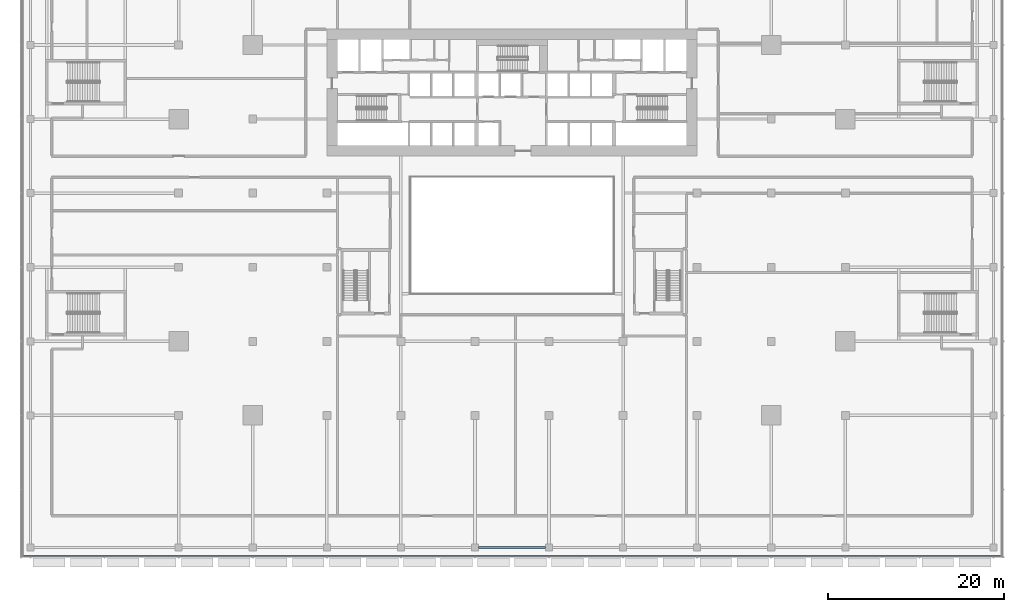
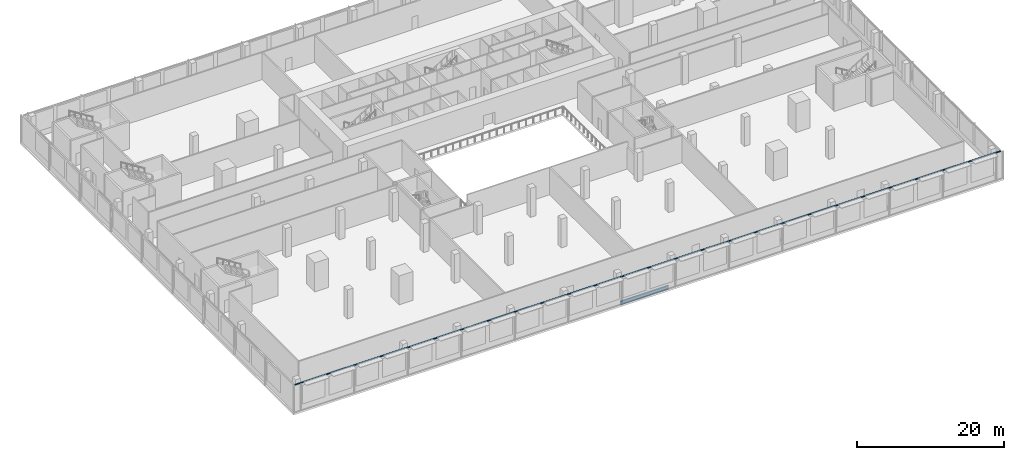
# One storey, part 5 of 39: 1 beam, 1 member, 1 element without a shape of its own.
"""IFC4 building model written with IfcOpenShell, lengths in metres."""

import ifcopenshell
import ifcopenshell.guid

model = None  # the IFC model being written
_history = None  # IfcOwnerHistory: only IFC2X3 demands one
_inside = {}  # id of a spatial element -> (the spatial element, [elements in it])
_under = {}  # id of a project, library or spatial element -> (it, [spatial elements below it])
_declared = {}  # id of a project -> (the project, [libraries it declares])
_typed = {}  # id of a type object -> (the type object, [elements of that type])
_made_of = {}  # id of a material, layer set ... -> (it, [elements and type objects made of it])


def new_model(schema):
    """Start an empty IFC model of exactly this schema.

    Asked for "IFC4X3", IfcOpenShell would pick the latest addendum, in which some entities
    have other attributes; the version numbers below select the first issue.
    IFC2X3 requires an IfcOwnerHistory on every rooted entity: one is made here for all.
    """
    global model, _history
    if schema == "IFC4X3":
        model = ifcopenshell.file(schema_version=(4, 3, 0, 0))
    else:
        model = ifcopenshell.file(schema=schema)
    _inside.clear()
    _under.clear()
    _declared.clear()
    _typed.clear()
    _made_of.clear()
    _history = None
    if model.schema == "IFC2X3":
        org = make("IfcOrganization", Name="unknown")
        user = make(
            "IfcPersonAndOrganization",
            ThePerson=make("IfcPerson", FamilyName="unknown"),
            TheOrganization=org,
        )
        app = make(
            "IfcApplication",
            ApplicationDeveloper=org,
            Version="unknown",
            ApplicationFullName="unknown",
            ApplicationIdentifier="unknown",
        )
        _history = make(
            "IfcOwnerHistory",
            OwningUser=user,
            OwningApplication=app,
            ChangeAction="ADDED",
            CreationDate=0,
        )
    return model


def make(cls, **values):
    """One entity of the class cls with the attributes given. An attribute that is None is left unset."""
    return model.create_entity(
        cls, **{name: value for name, value in values.items() if value is not None}
    )


def rooted(cls, **values):
    """An entity with a GlobalId (a new one), such as an element, a storey or a relation."""
    return make(cls, GlobalId=ifcopenshell.guid.new(), OwnerHistory=_history, **values)


def si_unit(unit_type, name, prefix=None):
    """IfcSIUnit, for example si_unit("LENGTHUNIT", "METRE", prefix="MILLI")."""
    return make("IfcSIUnit", UnitType=unit_type, Prefix=prefix, Name=name)


def assignment(units):
    """IfcUnitAssignment: the units of a project."""
    return None if units is None else make("IfcUnitAssignment", Units=units)


def point(xyz):
    """IfcCartesianPoint."""
    return None if xyz is None else make("IfcCartesianPoint", Coordinates=xyz)


def direction(xyz):
    """IfcDirection."""
    return None if xyz is None else make("IfcDirection", DirectionRatios=xyz)


def frame(location, z_axis=None, x_axis=None):
    """IfcAxis2Placement3D, a coordinate frame: its origin and axes. An axis left out is left unset."""
    return make(
        "IfcAxis2Placement3D",
        Location=point(location),
        Axis=direction(z_axis),
        RefDirection=direction(x_axis),
    )


def frame_2d(location, x_axis=None):
    """IfcAxis2Placement2D, a coordinate frame in the plane: its origin and x axis."""
    return make(
        "IfcAxis2Placement2D", Location=point(location), RefDirection=direction(x_axis)
    )


def origin():
    """The frame at (0, 0, 0) with its axes left unset."""
    return frame((0.0, 0.0, 0.0))


def origin_2d():
    """The frame at (0, 0) in the plane with its x axis left unset."""
    return frame_2d((0.0, 0.0))


def place(relative_to, where):
    """IfcLocalPlacement: puts the frame where relative to a parent placement (None: the world)."""
    return make(
        "IfcLocalPlacement", PlacementRelTo=relative_to, RelativePlacement=where
    )


def context(
    kind, dimensions, precision=None, world=None, true_north=None, identifier=None
):
    """IfcGeometricRepresentationContext, for example the 3D "Model" context."""
    return make(
        "IfcGeometricRepresentationContext",
        ContextIdentifier=identifier,
        ContextType=kind,
        CoordinateSpaceDimension=dimensions,
        Precision=precision,
        WorldCoordinateSystem=world,
        TrueNorth=true_north,
    )


def subcontext(parent, identifier, kind, view, scale=None):
    """IfcGeometricRepresentationSubContext, for example "Body" below "Model"."""
    return make(
        "IfcGeometricRepresentationSubContext",
        ContextIdentifier=identifier,
        ContextType=kind,
        ParentContext=parent,
        TargetScale=scale,
        TargetView=view,
    )


def project(units=None, contexts=None):
    """IfcProject with its units and contexts."""
    return rooted(
        "IfcProject",
        Name="project",
        RepresentationContexts=contexts,
        UnitsInContext=assignment(units),
    )


def spatial(cls, under=None, at=None, **own):
    """A site, building, storey or space (cls), placed at a placement, below another one or the project."""
    s = rooted(cls, ObjectPlacement=at, **own)
    if under is not None:
        _under.setdefault(under.id(), (under, []))[1].append(s)
    return s


def profile(cls, at=None, kind="AREA", **sizes):
    """A parametric profile (cls). Its sizes go by their IFC names, for example OverallWidth=200.0."""
    return make(cls, ProfileType=kind, Position=at, **sizes)


def rectangle(**sizes):
    """IfcRectangleProfileDef."""
    return profile("IfcRectangleProfileDef", **sizes)


def i_section(**sizes):
    """IfcIShapeProfileDef."""
    return profile("IfcIShapeProfileDef", **sizes)


def extrude(swept, where, along, depth):
    """IfcExtrudedAreaSolid: the profile swept, set in the frame where, extruded along a direction by depth."""
    return make(
        "IfcExtrudedAreaSolid",
        SweptArea=swept,
        Position=where,
        ExtrudedDirection=direction(along),
        Depth=depth,
    )


def shape(context_of_items, identifier, shape_type, items):
    """IfcShapeRepresentation: the items that make up one representation, for example the "Body"."""
    return make(
        "IfcShapeRepresentation",
        ContextOfItems=context_of_items,
        RepresentationIdentifier=identifier,
        RepresentationType=shape_type,
        Items=items,
    )


def material(Name=None, Category=None):
    """IfcMaterial."""
    return make("IfcMaterial", Name=Name, Category=Category)


def material_profile(
    of_material, cross_section, Name=None, Category=None, Priority=None
):
    """IfcMaterialProfile: a cross section and its material."""
    return make(
        "IfcMaterialProfile",
        Name=Name,
        Material=of_material,
        Profile=cross_section,
        Priority=Priority,
        Category=Category,
    )


def profile_set(profiles, Name=None, composite=None):
    """IfcMaterialProfileSet."""
    return make(
        "IfcMaterialProfileSet",
        Name=Name,
        MaterialProfiles=profiles,
        CompositeProfile=composite,
    )


def made_of(thing, what):
    """Note that an element or type object is made of a material, layer set ...; save() writes the relation."""
    if what is not None:
        _made_of.setdefault(what.id(), (what, []))[1].append(thing)
    return thing


def type_object(cls, material=None, **own):
    """A type object (cls), such as IfcWallType, which elements share."""
    return made_of(rooted(cls, **own), material)


def element(
    cls,
    number,
    at=None,
    inside=None,
    cuts=None,
    type_object=None,
    material=None,
    context=None,
    identifier="Body",
    shape_type=None,
    held_by="IfcProductDefinitionShape",
    body=None,
    shapes=None,
    **own,
):
    """One element of the class cls, such as IfcWall. Its Tag is "e" and its number.

    at: its placement. inside: the storey or other place that contains it. cuts: it is an
    opening in that element (IfcRelVoidsElement). A single representation is given by context,
    identifier, shape_type and body (its items); several are given by shapes. held_by: the class
    of the entity that holds the representations. save() writes the other relations.
    """
    e = rooted(cls, Tag="e%d" % number, ObjectPlacement=at, **own)
    if body is not None:
        shapes = [shape(context, identifier, shape_type, body)]
    if shapes is not None:
        e.Representation = make(held_by, Representations=shapes)
    if inside is not None:
        _inside.setdefault(inside.id(), (inside, []))[1].append(e)
    if cuts is not None:
        rooted(
            "IfcRelVoidsElement", RelatingBuildingElement=cuts, RelatedOpeningElement=e
        )
    if type_object is not None:
        _typed.setdefault(type_object.id(), (type_object, []))[1].append(e)
    return made_of(e, material)


def aggregate(whole, parts):
    """IfcRelAggregates: a whole, such as a stair, and the parts it consists of."""
    return rooted("IfcRelAggregates", RelatingObject=whole, RelatedObjects=parts)


def save(model, path):
    """Write the relations noted so far, then the file.

    IfcRelAggregates (storeys below a building ...), IfcRelContainedInSpatialStructure (elements
    in a storey), IfcRelDefinesByType, IfcRelAssociatesMaterial and IfcRelDeclares: one each for
    every whole, place, type object, material and project.
    """
    for whole, parts in _under.values():
        aggregate(whole, parts)
    for where, things in _inside.values():
        rooted(
            "IfcRelContainedInSpatialStructure",
            RelatedElements=things,
            RelatingStructure=where,
        )
    for kind, things in _typed.values():
        rooted("IfcRelDefinesByType", RelatedObjects=things, RelatingType=kind)
    for what, things in _made_of.values():
        rooted("IfcRelAssociatesMaterial", RelatedObjects=things, RelatingMaterial=what)
    for by, libraries in _declared.values():
        rooted("IfcRelDeclares", RelatingContext=by, RelatedDefinitions=libraries)
    model.write(path)


model = new_model("IFC4")

# Units and contexts
model_context = context("Model", 3, precision=1e-05, world=origin(), true_north=direction((0.0, 1.0)))
body_context = subcontext(model_context, "Body", "Model", "MODEL_VIEW")
ifc_project = project(units=[si_unit("LENGTHUNIT", "METRE"), si_unit("AREAUNIT", "SQUARE_METRE"), si_unit("VOLUMEUNIT", "CUBIC_METRE"), si_unit("PLANEANGLEUNIT", "RADIAN"), si_unit("MASSUNIT", "GRAM", prefix="KILO")], contexts=[model_context])

# Site, building, storey
site_placement = place(None, origin())
site = spatial("IfcSite", under=ifc_project, at=site_placement, CompositionType="ELEMENT")
building_placement = place(site_placement, origin())
building = spatial("IfcBuilding", under=site, at=building_placement, Name="Saffron Gate Tower", CompositionType="ELEMENT")
storey_placement = place(building_placement, frame((0.0, 0.0, 14.39990234375)))
storey = spatial("IfcBuildingStorey", under=building, at=storey_placement, Name="L02", CompositionType="ELEMENT", Elevation=14.39990234375)

# Beam
ifc_material_1 = material(Name="Structural steel S355", Category="steel")
ifc_material_profile_1 = material_profile(ifc_material_1, i_section(OverallWidth=0.219970703125, OverallDepth=0.60009765625, WebThickness=0.011962890625, FlangeThickness=0.01904296875, FilletRadius=0.02392578125, at=origin_2d()))
ifc_profile_set_1 = profile_set([ifc_material_profile_1], Name="Structural steel S355")
beam_type = type_object("IfcBeamType", Name="B15 IPE 600", PredefinedType="BEAM", material=ifc_profile_set_1)
beam_placement = place(storey_placement, frame((83.800048828125, 16.800048828125, -0.599853515625), z_axis=(1.0, 0.0, 0.0), x_axis=(0.0, 1.0, 0.0)))
element("IfcBeam", 1, at=beam_placement, inside=storey, type_object=beam_type, Name="B15 PODIUM EDGE BEAM", PredefinedType="BEAM", context=body_context, shape_type="SweptSolid", body=[
    extrude(i_section(OverallWidth=0.219970703125, OverallDepth=0.60009765625, WebThickness=0.011962890625, FlangeThickness=0.01904296875, FilletRadius=0.02392578125, at=origin_2d()), origin(), (0.0, 0.0, 1.0), 7.599853515625),
])

# Curtain wall, member
ifc_material_2 = material(Name="Aluminium, bronze anodised", Category="aluminium")
curtain_wall_type = type_object("IfcCurtainWallType", Name="CWS5 curtain wall podium ring base", PredefinedType="NOTDEFINED", material=ifc_material_2)
curtain_wall_placement = place(storey_placement, origin())
curtain_wall = element("IfcCurtainWall", 2, at=curtain_wall_placement, inside=storey, type_object=curtain_wall_type, Name="CWS5 run 1", PredefinedType="NOTDEFINED")
ifc_material_profile_2 = material_profile(ifc_material_2, rectangle(XDim=0.1201171875, YDim=0.1201171875, at=origin_2d()))
ifc_profile_set_2 = profile_set([ifc_material_profile_2], Name="Aluminium, bronze anodised")
member_type = type_object("IfcMemberType", Name="CWS5 head transom", PredefinedType="USERDEFINED", material=ifc_profile_set_2)
member_placement = place(storey_placement, frame((32.2080078125, 15.887939453125, 4.440185546875), z_axis=(1.0, 0.0, 0.0), x_axis=(0.0, 1.0, 0.0)))
member = element("IfcMember", 3, at=member_placement, type_object=member_type, Name="CWS5 head transom", ObjectType="TRANSOM", PredefinedType="USERDEFINED", context=body_context, shape_type="SweptSolid", body=[
    extrude(rectangle(XDim=0.1201171875, YDim=0.1201171875, at=origin_2d()), origin(), (0.0, 0.0, 1.0), 110.783935546875),
])
aggregate(curtain_wall, [member])

save(model, "model.ifc")
